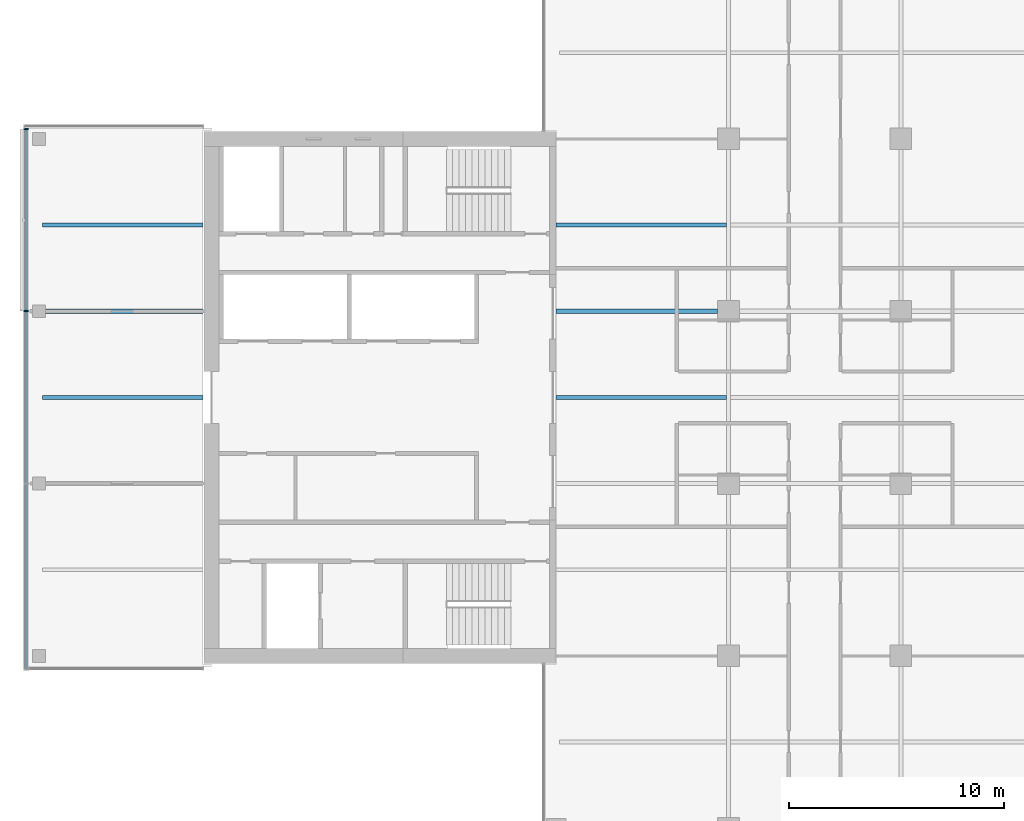
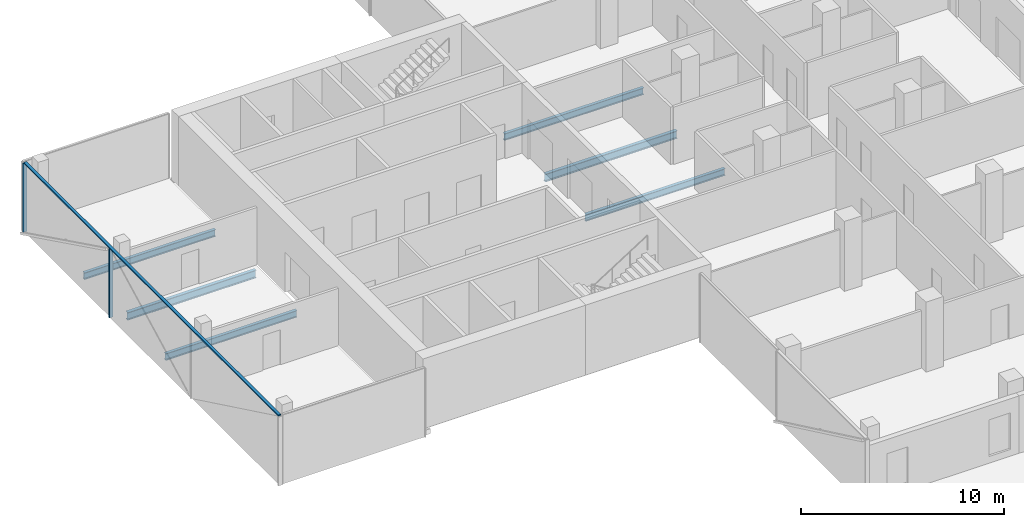
# One storey, part 7 of 24: 6 beams, 3 members, 1 element without a shape of its own.
"""IFC4 building model written with IfcOpenShell, lengths in metres."""

from ifc_helpers import new_model, si_unit, direction, frame, origin, origin_2d, place, context, subcontext, project, spatial, rectangle, i_section, extrude, material, material_profile, profile_set, type_object, element, aggregate, save


model = new_model("IFC4")

# Units and contexts
model_context = context("Model", 3, precision=1e-05, world=origin(), true_north=direction((0.0, 1.0)))
body_context = subcontext(model_context, "Body", "Model", "MODEL_VIEW")
ifc_project = project(units=[si_unit("LENGTHUNIT", "METRE"), si_unit("AREAUNIT", "SQUARE_METRE"), si_unit("VOLUMEUNIT", "CUBIC_METRE"), si_unit("PLANEANGLEUNIT", "RADIAN"), si_unit("MASSUNIT", "GRAM", prefix="KILO")], contexts=[model_context])

# Site, building, storey
site_placement = place(None, origin())
site = spatial("IfcSite", under=ifc_project, at=site_placement, CompositionType="ELEMENT")
building_placement = place(site_placement, origin())
building = spatial("IfcBuilding", under=site, at=building_placement, Name="Crosswind Convention Tower", CompositionType="ELEMENT")
storey_placement = place(building_placement, frame((0.0, 0.0, 112.699951171875)))
storey = spatial("IfcBuildingStorey", under=building, at=storey_placement, Name="L22", CompositionType="ELEMENT", Elevation=112.699951171875)

# Beams
ifc_material_1 = material(Name="Steel S355", Category="steel")
ifc_material_profile_1 = material_profile(ifc_material_1, i_section(OverallWidth=0.19189453125, OverallDepth=0.463623046875, WebThickness=0.010498046875, FlangeThickness=0.017578125, FilletRadius=0.01025390625, at=origin_2d()), Name="UB 457x191x90")
ifc_profile_set_1 = profile_set([ifc_material_profile_1], Name="Steel S355")
beam_type_1 = type_object("IfcBeamType", Name="Girder at core wall UB 457x191x90", PredefinedType="BEAM", material=ifc_profile_set_1)
beam_1_placement = place(storey_placement, frame((89.300048828125, 104.0, -0.53173828125), z_axis=(1.0, 0.0, 0.0), x_axis=(0.0, 1.0, 0.0)))
element("IfcBeam", 1, at=beam_1_placement, inside=storey, type_object=beam_type_1, Name="B24 L22 girder at core wall 2", PredefinedType="BEAM", context=body_context, shape_type="SweptSolid", body=[
    extrude(i_section(OverallWidth=0.19189453125, OverallDepth=0.463623046875, WebThickness=0.010498046875, FlangeThickness=0.017578125, FilletRadius=0.01025390625, at=origin_2d()), origin(), (0.0, 0.0, 1.0), 7.300048828125),
])
beam_2_placement = place(storey_placement, frame((113.0, 104.0, -0.53173828125), z_axis=(1.0, 0.0, 0.0), x_axis=(0.0, 1.0, 0.0)))
element("IfcBeam", 2, at=beam_2_placement, inside=storey, type_object=beam_type_1, Name="B24 L22 girder at core wall 4", PredefinedType="BEAM", context=body_context, shape_type="SweptSolid", body=[
    extrude(i_section(OverallWidth=0.19189453125, OverallDepth=0.463623046875, WebThickness=0.010498046875, FlangeThickness=0.017578125, FilletRadius=0.01025390625, at=origin_2d()), origin(), (0.0, 0.0, 1.0), 7.5),
])

# Curtain wall, members
ifc_material_2 = material(Name="Aluminium unitised curtain wall", Category="aluminium")
curtain_wall_type = type_object("IfcCurtainWallType", Name="OFFICE UNITISED WALL 220", PredefinedType="USERDEFINED", material=ifc_material_2)
curtain_wall_placement = place(storey_placement, origin())
curtain_wall = element("IfcCurtainWall", 3, at=curtain_wall_placement, inside=storey, type_object=curtain_wall_type, Name="CW3 L22 W-TIP 1", ObjectType="UNITISED", PredefinedType="USERDEFINED")
ifc_material_3 = material(Name="Aluminium mullion", Category="aluminium")
ifc_material_profile_2 = material_profile(ifc_material_3, rectangle(XDim=0.219970703125, YDim=0.070068359375, at=origin_2d()), Name="AL 220X70")
ifc_profile_set_2 = profile_set([ifc_material_profile_2], Name="Aluminium mullion")
member_type_1 = type_object("IfcMemberType", Name="MULLION 70X220", PredefinedType="MULLION", material=ifc_profile_set_2)
member_1_placement = place(storey_placement, frame((88.389892578125, 112.465087890625, -0.300048828125), z_axis=(0.0, 0.0, 1.0), x_axis=(-1.0, 0.0, 0.0)))
member_1 = element("IfcMember", 4, at=member_1_placement, type_object=member_type_1, Name="CW3 mullion 1", PredefinedType="MULLION", context=body_context, shape_type="SweptSolid", body=[
    extrude(rectangle(XDim=0.219970703125, YDim=0.070068359375, at=origin_2d()), origin(), (0.0, 0.0, 1.0), 4.130126953125),
])
member_2_placement = place(storey_placement, frame((88.389892578125, 104.0, -0.300048828125), z_axis=(0.0, 0.0, 1.0), x_axis=(-1.0, 0.0, 0.0)))
member_2 = element("IfcMember", 5, at=member_2_placement, type_object=member_type_1, Name="CW3 mullion 2", PredefinedType="MULLION", context=body_context, shape_type="SweptSolid", body=[
    extrude(rectangle(XDim=0.219970703125, YDim=0.070068359375, at=origin_2d()), origin(), (0.0, 0.0, 1.0), 4.130126953125),
])

# Beams
ifc_material_profile_3 = material_profile(ifc_material_1, i_section(OverallWidth=0.177734375, OverallDepth=0.406494140625, WebThickness=0.0078125, FlangeThickness=0.0126953125, FilletRadius=0.01025390625, at=origin_2d()), Name="UB 406x178x60")
ifc_profile_set_3 = profile_set([ifc_material_profile_3], Name="Steel S355")
beam_type_2 = type_object("IfcBeamType", Name="Secondary beam UB 406x178x60", PredefinedType="JOIST", material=ifc_profile_set_3)
for number, where, z_axis, x_axis, name in (
    (6, (89.156982421875, 100.0, -0.503173828125), (1.0, 0.0, 0.0), (0.0, 1.0, 0.0), "B10 L22 secondary beam 2"),
    (7, (89.156982421875, 108.0, -0.503173828125), (1.0, 0.0, 0.0), (0.0, 1.0, 0.0), "B10 L22 secondary beam 3"),
):
    element("IfcBeam", number, at=place(storey_placement, frame(where, z_axis=z_axis, x_axis=x_axis)), inside=storey, type_object=beam_type_2, Name=name, PredefinedType="JOIST", context=body_context, shape_type="SweptSolid", body=[
        extrude(i_section(OverallWidth=0.177734375, OverallDepth=0.406494140625, WebThickness=0.0078125, FlangeThickness=0.0126953125, FilletRadius=0.01025390625, at=origin_2d()), origin(), (0.0, 0.0, 1.0), 7.443115234375),
    ])
for number, where, z_axis, x_axis, name in (
    (8, (113.0, 100.0, -0.503173828125), (1.0, 0.0, 0.0), (0.0, 1.0, 0.0), "B10 L22 secondary beam 5"),
    (9, (113.0, 108.0, -0.503173828125), (1.0, 0.0, 0.0), (0.0, 1.0, 0.0), "B10 L22 secondary beam 6"),
):
    element("IfcBeam", number, at=place(storey_placement, frame(where, z_axis=z_axis, x_axis=x_axis)), inside=storey, type_object=beam_type_2, Name=name, PredefinedType="JOIST", context=body_context, shape_type="SweptSolid", body=[
        extrude(i_section(OverallWidth=0.177734375, OverallDepth=0.406494140625, WebThickness=0.0078125, FlangeThickness=0.0126953125, FilletRadius=0.01025390625, at=origin_2d()), origin(), (0.0, 0.0, 1.0), 7.904296875),
    ])

# Member
ifc_material_4 = material(Name="Aluminium transom", Category="aluminium")
ifc_material_profile_4 = material_profile(ifc_material_4, rectangle(XDim=0.159912109375, YDim=0.070068359375, at=origin_2d()), Name="AL 160X70")
ifc_profile_set_4 = profile_set([ifc_material_profile_4], Name="Aluminium transom")
member_type_2 = type_object("IfcMemberType", Name="TRANSOM 70X160", PredefinedType="USERDEFINED", material=ifc_profile_set_4)
member_3_placement = place(storey_placement, frame((88.389892578125, 112.429931640625, 3.864990234375), z_axis=(0.0, -1.0, 0.0), x_axis=(1.0, 0.0, 0.0)))
member_3 = element("IfcMember", 10, at=member_3_placement, type_object=member_type_2, Name="CW3 transom", ObjectType="TRANSOM", PredefinedType="USERDEFINED", context=body_context, shape_type="SweptSolid", body=[
    extrude(rectangle(XDim=0.159912109375, YDim=0.070068359375, at=origin_2d()), origin(), (0.0, 0.0, 1.0), 25.02001953125),
])

aggregate(curtain_wall, [member_1, member_2, member_3])

save(model, "model.ifc")
